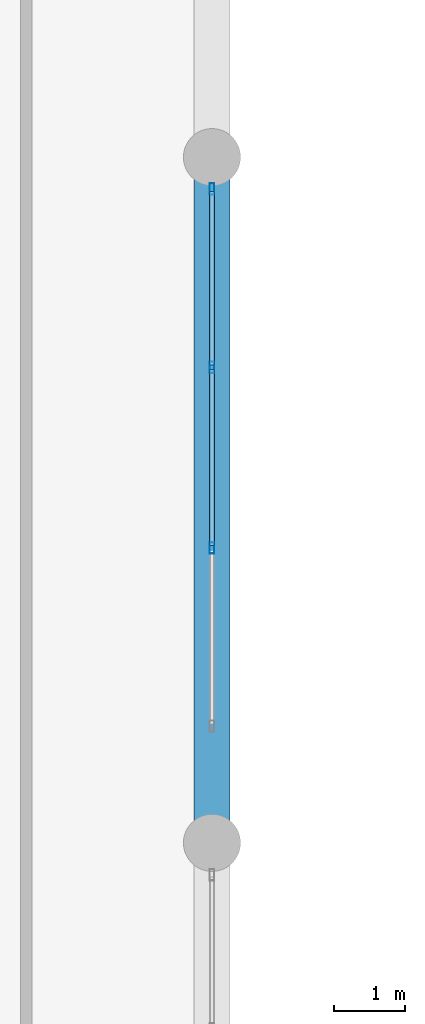
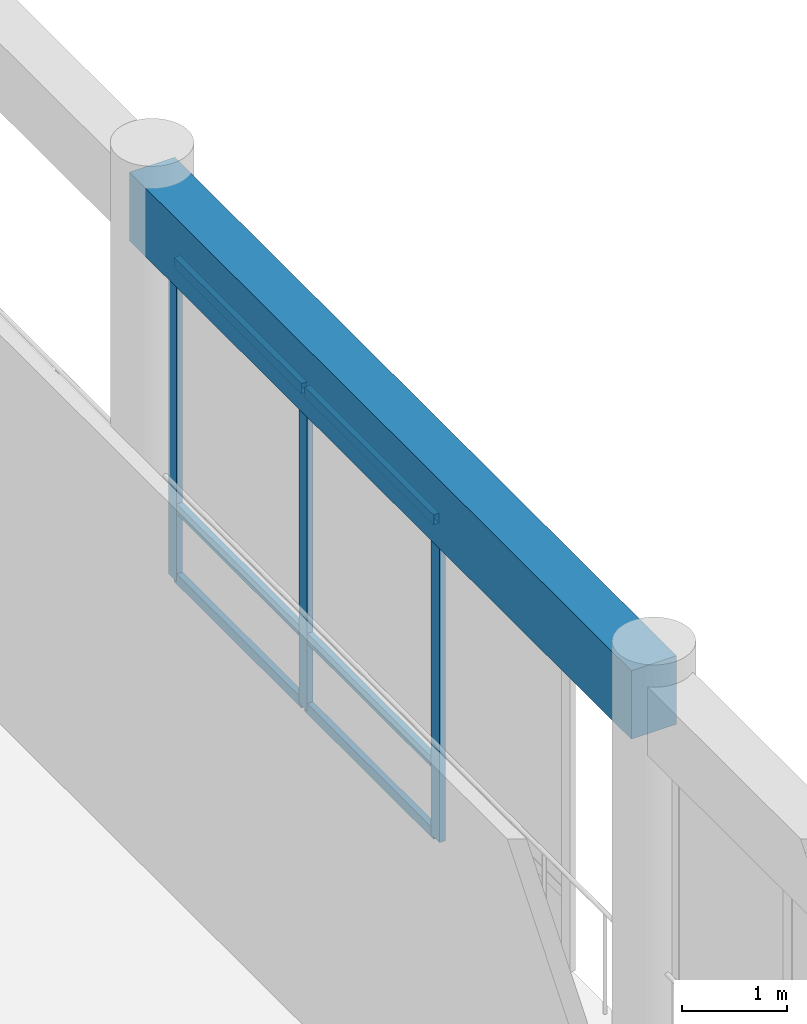
# One storey, part 9 of 101: 9 members, 1 beam, 1 element without a shape of its own.
"""IFC4 building model written with IfcOpenShell, lengths in metres."""

from ifc_helpers import new_model, si_unit, direction, frame, origin, origin_2d, place, context, subcontext, project, spatial, rectangle, hollow_rectangle, extrude, material, layer, layer_set, material_profile, profile_set, type_object, element, aggregate, save


model = new_model("IFC4")

# Units and contexts
model_context = context("Model", 3, precision=1e-05, world=origin(), true_north=direction((0.0, 1.0)))
body_context = subcontext(model_context, "Body", "Model", "MODEL_VIEW")
ifc_project = project(units=[si_unit("LENGTHUNIT", "METRE"), si_unit("AREAUNIT", "SQUARE_METRE"), si_unit("VOLUMEUNIT", "CUBIC_METRE"), si_unit("PLANEANGLEUNIT", "RADIAN"), si_unit("MASSUNIT", "GRAM", prefix="KILO")], contexts=[model_context])

# Site, building, storey
site_placement = place(None, origin())
site = spatial("IfcSite", under=ifc_project, at=site_placement, CompositionType="ELEMENT")
building_placement = place(site_placement, origin())
building = spatial("IfcBuilding", under=site, at=building_placement, Name="Nakhvara Creek Congress Hotel", CompositionType="ELEMENT")
storey_placement = place(building_placement, frame((0.0, 0.0, 16.199951171875)))
storey = spatial("IfcBuildingStorey", under=building, at=storey_placement, Name="L03", CompositionType="ELEMENT", Elevation=16.199951171875)

# Beam
ifc_material_1 = material(Name="Concrete C40/50", Category="concrete")
ifc_material_profile_1 = material_profile(ifc_material_1, rectangle(XDim=0.5, YDim=0.800048828125, at=origin_2d()), Name="RC-BM 500x800", Category="LoadBearing")
ifc_profile_set_1 = profile_set([ifc_material_profile_1], Name="Concrete C40/50")
beam_type = type_object("IfcBeamType", Name="BM-RC-500X800", PredefinedType="BEAM", material=ifc_profile_set_1)
beam_placement = place(storey_placement, frame((76.800048828125, 52.800048828125, 4.14013671875), z_axis=(0.0, 1.0, 0.0), x_axis=(-1.0, 0.0, 0.0)))
element("IfcBeam", 1, at=beam_placement, inside=storey, type_object=beam_type, Name="Beam B03-L03-1709", PredefinedType="BEAM", context=body_context, shape_type="SweptSolid", body=[
    extrude(rectangle(XDim=0.5, YDim=0.800048828125, at=origin_2d()), origin(), (0.0, 0.0, 1.0), 9.599853515625),
])

# Curtain wall, members
ifc_material_2 = material(Name="Bronze-anodised aluminium AW-6063-T6 and double-silver low-E glass", Category="aluminium")
ifc_layer = layer(ifc_material_2, 0.199951171875)
ifc_layer_set = layer_set([ifc_layer], Name="Bronze-anodised aluminium AW-6063-T6 and double-silver low-E glass")
curtain_wall_type = type_object("IfcCurtainWallType", Name="CW-POD-STICK", PredefinedType="NOTDEFINED", material=ifc_layer_set)
curtain_wall_placement = place(storey_placement, origin())
curtain_wall = element("IfcCurtainWall", 2, at=curtain_wall_placement, inside=storey, type_object=curtain_wall_type, Name="Curtain Wall CW061", PredefinedType="NOTDEFINED")
ifc_material_3 = material(Name="Bronze-anodised aluminium AW-6063-T6", Category="aluminium")
ifc_material_profile_2 = material_profile(ifc_material_3, hollow_rectangle(XDim=0.06494140625, YDim=0.159912109375, WallThickness=0.00390625, at=origin_2d()), Name="ALU-MULL 65x160x4", Category="LoadBearing")
ifc_profile_set_2 = profile_set([ifc_material_profile_2], Name="Bronze-anodised aluminium AW-6063-T6")
member_type_1 = type_object("IfcMemberType", Name="CW-MULL-160", PredefinedType="MULLION", material=ifc_profile_set_2)
member_1_placement = place(storey_placement, frame((76.800048828125, 61.952392578125, 0.0), z_axis=(0.0, 0.0, 1.0), x_axis=(1.0, 0.0, 0.0)))
member_1 = element("IfcMember", 3, at=member_1_placement, type_object=member_type_1, Name="CW061 mullion 1", PredefinedType="MULLION", context=body_context, shape_type="SweptSolid", body=[
    extrude(hollow_rectangle(XDim=0.06494140625, YDim=0.159912109375, WallThickness=0.00390625, at=origin_2d()), origin(), (0.0, 0.0, 1.0), 3.73193359375),
])
member_2_placement = place(storey_placement, frame((76.800048828125, 59.456787109375, 0.0), z_axis=(0.0, 0.0, 1.0), x_axis=(1.0, 0.0, 0.0)))
member_2 = element("IfcMember", 4, at=member_2_placement, type_object=member_type_1, Name="CW061 mullion 2", PredefinedType="MULLION", context=body_context, shape_type="SweptSolid", body=[
    extrude(hollow_rectangle(XDim=0.06494140625, YDim=0.159912109375, WallThickness=0.00390625, at=origin_2d()), origin(), (0.0, 0.0, 1.0), 3.73193359375),
])
member_3_placement = place(storey_placement, frame((76.800048828125, 56.92822265625, 0.0), z_axis=(0.0, 0.0, 1.0), x_axis=(1.0, 0.0, 0.0)))
member_3 = element("IfcMember", 5, at=member_3_placement, type_object=member_type_1, Name="CW061 mullion 3", PredefinedType="MULLION", context=body_context, shape_type="SweptSolid", body=[
    extrude(hollow_rectangle(XDim=0.06494140625, YDim=0.159912109375, WallThickness=0.00390625, at=origin_2d()), origin(), (0.0, 0.0, 1.0), 3.73193359375),
])
ifc_material_profile_3 = material_profile(ifc_material_3, hollow_rectangle(XDim=0.06494140625, YDim=0.1201171875, WallThickness=0.00390625, at=origin_2d()), Name="ALU-TRAN 65x120x4", Category="LoadBearing")
ifc_profile_set_3 = profile_set([ifc_material_profile_3], Name="Bronze-anodised aluminium AW-6063-T6")
member_type_2 = type_object("IfcMemberType", Name="CW-TRAN-120", PredefinedType="USERDEFINED", material=ifc_profile_set_3)
member_4_placement = place(storey_placement, frame((76.800048828125, 61.919921875, 0.032470703125), z_axis=(0.0, -1.0, 0.0), x_axis=(1.0, 0.0, 0.0)))
member_4 = element("IfcMember", 6, at=member_4_placement, type_object=member_type_2, Name="CW061 transom 1.1", ObjectType="TRANSOM", PredefinedType="USERDEFINED", context=body_context, shape_type="SweptSolid", body=[
    extrude(hollow_rectangle(XDim=0.06494140625, YDim=0.1201171875, WallThickness=0.00390625, at=origin_2d()), origin(), (0.0, 0.0, 1.0), 2.4306640625),
])
member_5_placement = place(storey_placement, frame((76.800048828125, 61.919921875, 0.85009765625), z_axis=(0.0, -1.0, 0.0), x_axis=(1.0, 0.0, 0.0)))
member_5 = element("IfcMember", 7, at=member_5_placement, type_object=member_type_2, Name="CW061 transom 1.2", ObjectType="TRANSOM", PredefinedType="USERDEFINED", context=body_context, shape_type="SweptSolid", body=[
    extrude(hollow_rectangle(XDim=0.06494140625, YDim=0.1201171875, WallThickness=0.00390625, at=origin_2d()), origin(), (0.0, 0.0, 1.0), 2.4306640625),
])
member_6_placement = place(storey_placement, frame((76.800048828125, 61.919921875, 3.699462890625), z_axis=(0.0, -1.0, 0.0), x_axis=(1.0, 0.0, 0.0)))
member_6 = element("IfcMember", 8, at=member_6_placement, type_object=member_type_2, Name="CW061 transom 1.3", ObjectType="TRANSOM", PredefinedType="USERDEFINED", context=body_context, shape_type="SweptSolid", body=[
    extrude(hollow_rectangle(XDim=0.06494140625, YDim=0.1201171875, WallThickness=0.00390625, at=origin_2d()), origin(), (0.0, 0.0, 1.0), 2.4306640625),
])
member_7_placement = place(storey_placement, frame((76.800048828125, 59.424072265625, 0.032470703125), z_axis=(0.0, -1.0, 0.0), x_axis=(1.0, 0.0, 0.0)))
member_7 = element("IfcMember", 9, at=member_7_placement, type_object=member_type_2, Name="CW061 transom 2.1", ObjectType="TRANSOM", PredefinedType="USERDEFINED", context=body_context, shape_type="SweptSolid", body=[
    extrude(hollow_rectangle(XDim=0.06494140625, YDim=0.1201171875, WallThickness=0.00390625, at=origin_2d()), origin(), (0.0, 0.0, 1.0), 2.463134765625),
])
member_8_placement = place(storey_placement, frame((76.800048828125, 59.424072265625, 0.85009765625), z_axis=(0.0, -1.0, 0.0), x_axis=(1.0, 0.0, 0.0)))
member_8 = element("IfcMember", 10, at=member_8_placement, type_object=member_type_2, Name="CW061 transom 2.2", ObjectType="TRANSOM", PredefinedType="USERDEFINED", context=body_context, shape_type="SweptSolid", body=[
    extrude(hollow_rectangle(XDim=0.06494140625, YDim=0.1201171875, WallThickness=0.00390625, at=origin_2d()), origin(), (0.0, 0.0, 1.0), 2.463134765625),
])
member_9_placement = place(storey_placement, frame((76.800048828125, 59.424072265625, 3.699462890625), z_axis=(0.0, -1.0, 0.0), x_axis=(1.0, 0.0, 0.0)))
member_9 = element("IfcMember", 11, at=member_9_placement, type_object=member_type_2, Name="CW061 transom 2.3", ObjectType="TRANSOM", PredefinedType="USERDEFINED", context=body_context, shape_type="SweptSolid", body=[
    extrude(hollow_rectangle(XDim=0.06494140625, YDim=0.1201171875, WallThickness=0.00390625, at=origin_2d()), origin(), (0.0, 0.0, 1.0), 2.463134765625),
])
aggregate(curtain_wall, [member_1, member_2, member_3, member_4, member_5, member_6, member_7, member_8, member_9])

save(model, "model.ifc")
